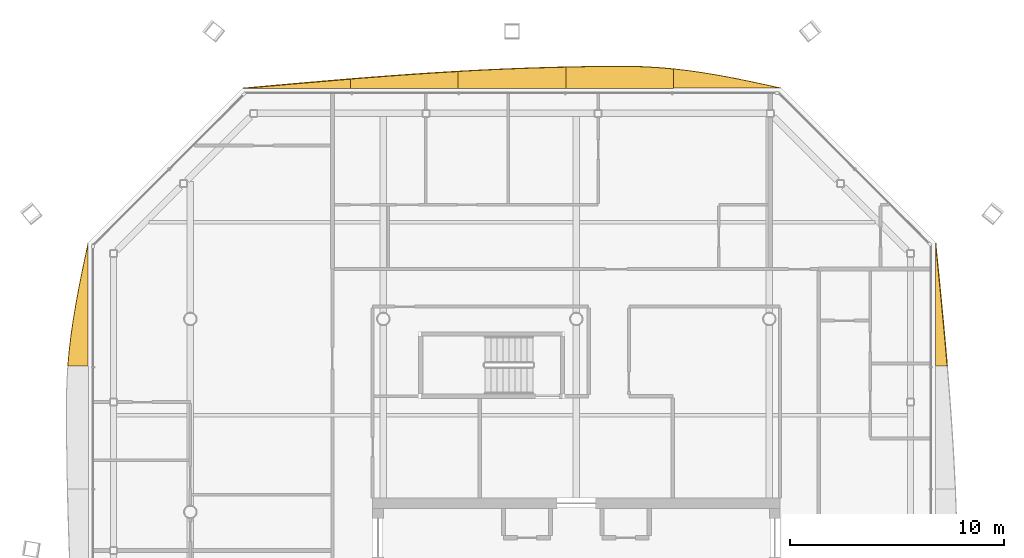
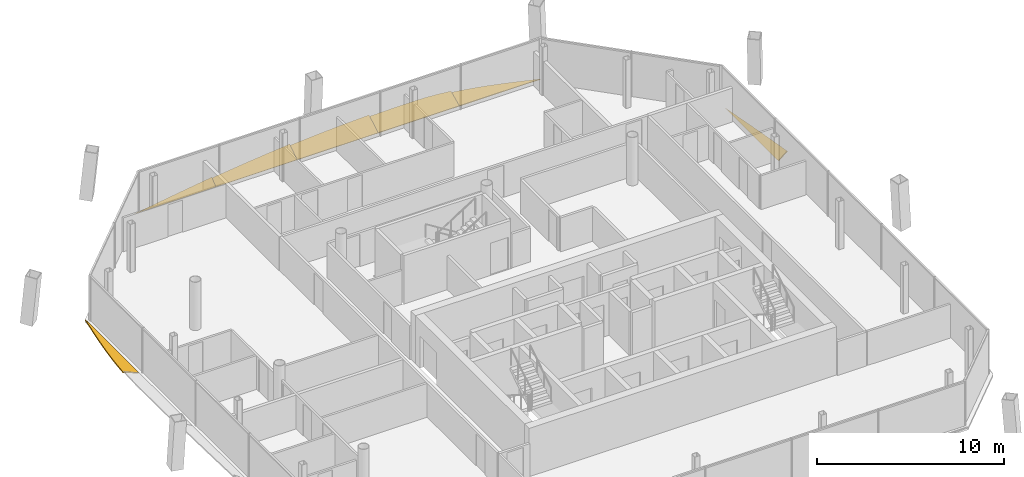
# One storey, part 19 of 19: 7 shading devices.
"""IFC4 building model written with IfcOpenShell, lengths in metres."""

from ifc_helpers import new_model, si_unit, direction, frame, origin, place, context, subcontext, project, spatial, polyline, outline, extrude, material, layer, layer_set, type_object, element, save


model = new_model("IFC4")

# Units and contexts
model_context = context("Model", 3, precision=1e-05, world=origin(), true_north=direction((0.0, 1.0)))
body_context = subcontext(model_context, "Body", "Model", "MODEL_VIEW")
ifc_project = project(units=[si_unit("LENGTHUNIT", "METRE"), si_unit("AREAUNIT", "SQUARE_METRE"), si_unit("VOLUMEUNIT", "CUBIC_METRE"), si_unit("PLANEANGLEUNIT", "RADIAN"), si_unit("MASSUNIT", "GRAM", prefix="KILO")], contexts=[model_context])

# Site, building, storey
site_placement = place(None, origin())
site = spatial("IfcSite", under=ifc_project, at=site_placement, CompositionType="ELEMENT")
building_placement = place(site_placement, origin())
building = spatial("IfcBuilding", under=site, at=building_placement, Name="Tskaro Facet Tower", CompositionType="ELEMENT")
storey_placement = place(building_placement, frame((0.0, 0.0, 203.699951171875)))
storey = spatial("IfcBuildingStorey", under=building, at=storey_placement, Name="L52", CompositionType="ELEMENT", Elevation=203.699951171875)

# Shading devices
ifc_material = material(Name="Bronze anodised aluminium 6063-T6", Category="aluminium")
ifc_layer = layer(ifc_material, 0.06005859375, Name="Bronze anodised aluminium 6063-T6")
ifc_layer_set = layer_set([ifc_layer], Name="Bronze anodised aluminium 6063-T6")
shading_device_type = type_object("IfcShadingDeviceType", Name="Bronze sun blade (FN1)", PredefinedType="USERDEFINED", material=ifc_layer_set)
shading_device_1_placement = place(storey_placement, frame((16.744384765625, 6.808349609375, 0.0458984375), z_axis=(-0.642898130045, 5.485765e-06, 0.76595169192), x_axis=(3.526788e-06, 0.999999999985, -4.201831e-06)))
element("IfcShadingDevice", 1, at=shading_device_1_placement, inside=storey, type_object=shading_device_type, Name="Fin blade east 5", ObjectType="FIN", PredefinedType="USERDEFINED", context=body_context, shape_type="SweptSolid", body=[
    extrude(outline(polyline([(0.0, 0.0), (5.734619140538712, -4.857411352064517e-21), (5.01782226564069, -0.09305857810236651), (4.301025390907473, -0.18577319872866227), (3.584228514781802, -0.2774259045532407), (2.8674316412022227, -0.36773282284704123), (2.150634765533963, -0.4564468689382657), (1.4335937495333129, -0.542566212772207), (0.7167968753112963, -0.626277854273653), (-1.7537350946230252e-10, -0.7066768361921693), (0.0, 0.0)])), origin(), (0.0, 0.0, -1.0), 0.06005859375),
])
shading_device_2_placement = place(storey_placement, frame((9.54296875, 19.762451171875, 0.056396484375), z_axis=(-1.3388347e-05, -0.34205994049, 0.939678134753), x_axis=(-0.99999999991, 4.579617e-06, -1.2580737e-05)))
element("IfcShadingDevice", 2, at=shading_device_2_placement, inside=storey, type_object=shading_device_type, Name="Fin blade north 1", ObjectType="FIN", PredefinedType="USERDEFINED", context=body_context, shape_type="SweptSolid", body=[
    extrude(outline(polyline([(0.0, 0.0), (5.017089843300349, -4.24964039699118e-21), (5.0170898442678675, -0.956605276554694), (4.3005371081563535, -0.8670187411338212), (3.5837402341182814, -0.7565737953119251), (2.866943359720063, -0.6282115424058546), (2.150146484974599, -0.4847895750047919), (1.433349609059461, -0.3297078236398616), (0.7167968740133422, -0.16682504605646414), (0.0, 0.0)])), origin(), (0.0, 0.0, -1.0), 0.06005859375),
])
shading_device_3_placement = place(storey_placement, frame((4.52587890625, 19.757568359375, 0.054443359375), z_axis=(-5.665071e-06, -0.422582713193, 0.90632436273), x_axis=(-0.999999999984, 2.393961e-06, -5.134392e-06)))
element("IfcShadingDevice", 3, at=shading_device_3_placement, inside=storey, type_object=shading_device_type, Name="Fin blade north 2", ObjectType="FIN", PredefinedType="USERDEFINED", context=body_context, shape_type="SweptSolid", body=[
    extrude(outline(polyline([(0.0, 0.0), (5.017333984294489, -2.124923596072159e-21), (5.01733398432122, -1.0896174424798284), (4.30053710888684, -1.104469735080941), (3.58374023412916, -1.1149563412783632), (2.8669433600481784, -1.1210772610720956), (2.2578125004291905, -1.1227143934734793), (2.150390624261988, -1.122271852280733), (1.433593750726771, -1.1049122762736874), (0.7167968744843023, -1.0611074484862408), (-2.895891828630339e-10, -0.9918605522925448), (0.0, 0.0)])), origin(), (0.0, 0.0, -1.0), 0.06005859375),
])
shading_device_4_placement = place(storey_placement, frame((-0.491455078125, 19.7529296875, 0.052001953125), z_axis=(8.778142e-06, -0.499980460002, 0.866036684869), x_axis=(-0.999999999961, -4.3889e-06, 7.602193e-06)))
element("IfcShadingDevice", 4, at=shading_device_4_placement, inside=storey, type_object=shading_device_type, Name="Fin blade north 3", ObjectType="FIN", PredefinedType="USERDEFINED", context=body_context, shape_type="SweptSolid", body=[
    extrude(outline(polyline([(0.0, 0.0), (5.017089843556702, -2.12482019849559e-21), (5.017089843820997, -0.9091630677173294), (4.300292968944105, -0.954556155864615), (3.5837402340607967, -0.9956791330710486), (2.8669433594900813, -1.0331989998956752), (2.150146484287958, -1.06644875577945), (1.4333496084544275, -1.0954284007223731), (0.7167968755419928, -1.1200485655289167), (-4.828439768051227e-10, -1.1402765538526112), (0.0, 0.0)])), origin(), (0.0, 0.0, -1.0), 0.06005859375),
])
shading_device_5_placement = place(storey_placement, frame((-5.508544921875, 19.74853515625, 0.04931640625), z_axis=(-2.149228e-05, -0.573446912966, 0.819242721999), x_axis=(-0.999999999769, 1.2324682e-05, -1.7607394e-05)))
element("IfcShadingDevice", 5, at=shading_device_5_placement, inside=storey, type_object=shading_device_type, Name="Fin blade north 4", ObjectType="FIN", PredefinedType="USERDEFINED", context=body_context, shape_type="SweptSolid", body=[
    extrude(outline(polyline([(0.0, 0.0), (5.017333983216202, 0.0), (5.017333985150191, -0.5318807259681116), (4.300537109427775, -0.6016434434339605), (3.583740235425796, -0.668966067331427), (2.8669433558366184, -0.7337885889180578), (2.150390624181227, -0.7956910031305482), (1.433593748893143, -0.8544132907962231), (0.7167968761857144, -0.9094754381093246), (-2.5384185828719586e-09, -0.9611574484453889), (0.0, 0.0)])), origin(), (0.0, 0.0, -1.0), 0.06005859375),
])
shading_device_6_placement = place(storey_placement, frame((-10.52587890625, 19.744384765625, 0.0458984375), z_axis=(2.466e-06, -0.642856713671, 0.765986452675), x_axis=(-0.999999999997, -1.585285e-06, 1.888923e-06)))
element("IfcShadingDevice", 6, at=shading_device_6_placement, inside=storey, type_object=shading_device_type, Name="Fin blade north 5", ObjectType="FIN", PredefinedType="USERDEFINED", context=body_context, shape_type="SweptSolid", body=[
    extrude(outline(polyline([(0.0, 0.0), (5.0170898437347455, -1.062410099247795e-21), (4.3002929688643725, -0.08386859638084256), (3.5837402341578373, -0.16758024532182347), (2.8669433595262372, -0.25057392158904823), (2.1501464842110822, -0.3323787828629319), (1.4333496094476017, -0.4127777597607397), (0.7165527343875999, -0.4918009132539084), (-3.1022353989556704e-11, -0.5689172790799797), (0.0, 0.0)])), origin(), (0.0, 0.0, -1.0), 0.06005859375),
])
shading_device_7_placement = place(storey_placement, frame((-22.762451171875, 12.54296875, 0.056396484375), z_axis=(0.342035975499, -1.6855005e-05, 0.939686858044), x_axis=(-5.765018e-06, -0.999999999858, -1.5838427e-05)))
element("IfcShadingDevice", 7, at=shading_device_7_placement, inside=storey, type_object=shading_device_type, Name="Fin blade west 1", ObjectType="FIN", PredefinedType="USERDEFINED", context=body_context, shape_type="SweptSolid", body=[
    extrude(outline(polyline([(0.0, 0.0), (5.734619139810422, -4.857411352064517e-21), (5.734619141613742, -1.0124430419051742), (5.017822265999633, -0.9430890671098943), (4.301025389569191, -0.8521884398499786), (3.5839843727643164, -0.7420564163876927), (2.867187497901806, -0.6150082529853019), (2.1503906243717075, -0.4739015422556338), (1.4335937511371792, -0.32213621316207774), (0.7167968757539069, -0.16288277893116346), (0.0, 0.0)])), origin(), (0.0, 0.0, -1.0), 0.06005859375),
])

save(model, "model.ifc")
